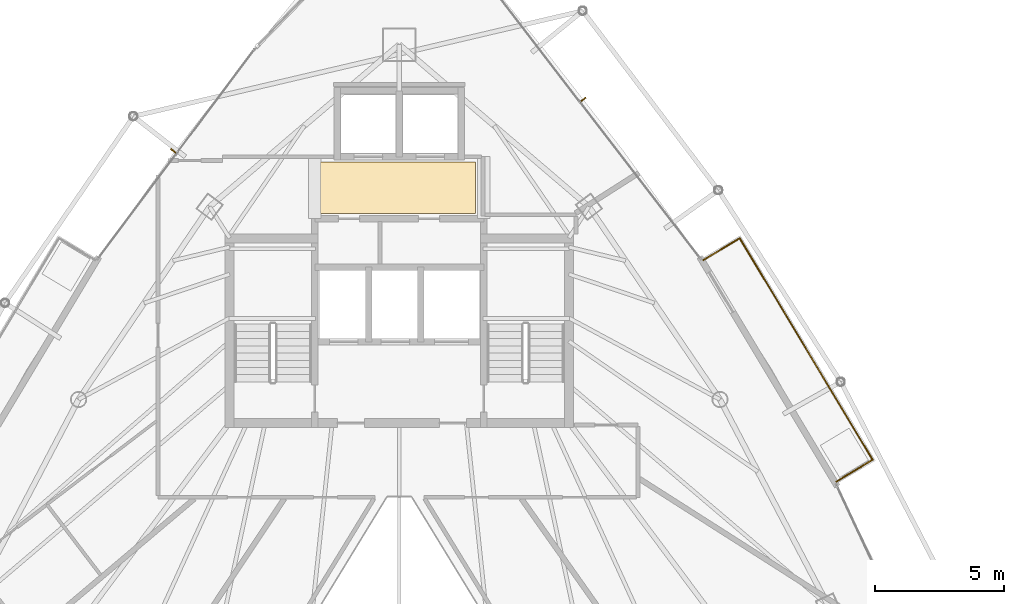
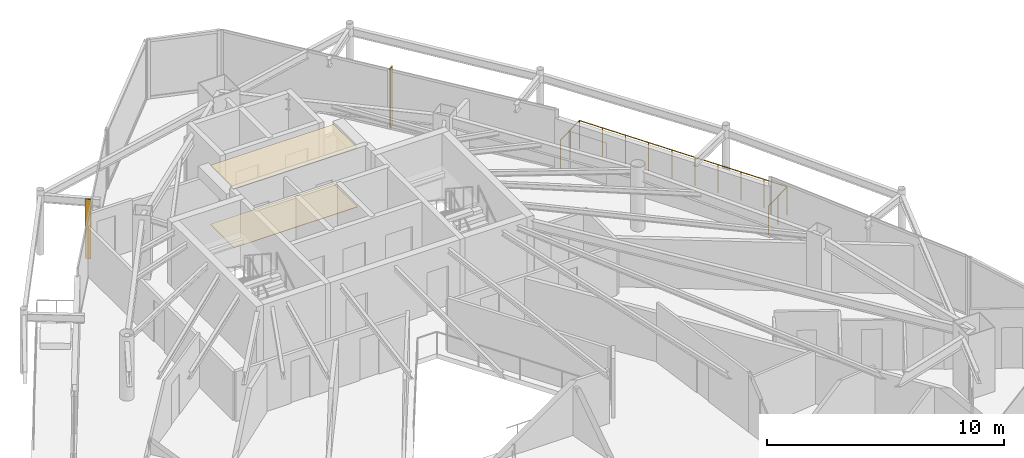
# One storey, part 33 of 33: 2 coverings, 2 shading devices, 1 railing.
"""IFC4 building model written with IfcOpenShell, lengths in metres."""

from ifc_helpers import new_model, si_unit, direction, frame, origin, origin_2d, place, context, subcontext, project, spatial, polyline, rectangle, circle, outline, extrude, material, layer, layer_set, type_object, element, save


model = new_model("IFC4")

# Units and contexts
model_context = context("Model", 3, precision=1e-05, world=origin(), true_north=direction((0.0, 1.0)))
body_context = subcontext(model_context, "Body", "Model", "MODEL_VIEW")
ifc_project = project(units=[si_unit("LENGTHUNIT", "METRE"), si_unit("AREAUNIT", "SQUARE_METRE"), si_unit("VOLUMEUNIT", "CUBIC_METRE"), si_unit("PLANEANGLEUNIT", "RADIAN"), si_unit("MASSUNIT", "GRAM", prefix="KILO")], contexts=[model_context])

# Site, building, storey
site_placement = place(None, origin())
site = spatial("IfcSite", under=ifc_project, at=site_placement, CompositionType="ELEMENT")
building_placement = place(site_placement, origin())
building = spatial("IfcBuilding", under=site, at=building_placement, Name="Orvanel Arch Residences", CompositionType="ELEMENT")
storey_placement = place(building_placement, frame((0.0, 0.0, 206.300048828125)))
storey = spatial("IfcBuildingStorey", under=building, at=storey_placement, Name="L58", CompositionType="ELEMENT", Elevation=206.300048828125)

# Coverings
ifc_material_1 = material(Name="Perforated acoustic mineral-fibre ceiling tile", Category="gypsum")
ifc_layer_1 = layer(ifc_material_1, 0.034912109375)
ifc_layer_set_1 = layer_set([ifc_layer_1], Name="Perforated acoustic mineral-fibre ceiling tile")
covering_type_1 = type_object("IfcCoveringType", Name="COV-CLG-ACS35", PredefinedType="CEILING", material=ifc_layer_set_1)
covering_1_placement = place(storey_placement, frame((0.0, 0.0, 3.02490234375)))
element("IfcCovering", 1, at=covering_1_placement, inside=storey, type_object=covering_type_1, Name="L58 Lift Lobby Acoustic Ceiling", PredefinedType="CEILING", context=body_context, shape_type="SweptSolid", body=[
    extrude(outline(polyline([(29.949951171875, 34.85009765625), (35.949951171875, 34.85009765625), (35.949951171875, 36.85009765625), (29.949951171875, 36.85009765625), (29.949951171875, 34.85009765625)])), origin(), (0.0, 0.0, 1.0), 0.03515625),
])
ifc_material_2 = material(Name="Honed cementitious terrazzo floor finish", Category="concrete")
ifc_layer_2 = layer(ifc_material_2, 0.02490234375)
ifc_layer_set_2 = layer_set([ifc_layer_2], Name="Honed cementitious terrazzo floor finish")
covering_type_2 = type_object("IfcCoveringType", Name="COV-FLR-TRZ25", PredefinedType="FLOORING", material=ifc_layer_set_2)
covering_2_placement = place(storey_placement, origin())
element("IfcCovering", 2, at=covering_2_placement, inside=storey, type_object=covering_type_2, Name="L58 Lift Lobby Terrazzo Flooring", PredefinedType="FLOORING", context=body_context, shape_type="SweptSolid", body=[
    extrude(outline(polyline([(29.949951171875, 34.85009765625), (35.949951171875, 34.85009765625), (35.949951171875, 36.85009765625), (29.949951171875, 36.85009765625), (29.949951171875, 34.85009765625)])), origin(), (0.0, 0.0, 1.0), 0.02490234375),
])

# Shading devices
ifc_material_3 = material(Name="Bronze-anodised aluminium AA6063-T6", Category="aluminium")
ifc_layer_3 = layer(ifc_material_3, 0.050048828125)
ifc_layer_set_3 = layer_set([ifc_layer_3], Name="Bronze-anodised aluminium AA6063-T6")
shading_device_type = type_object("IfcShadingDeviceType", Name="FIN-BRZ-260", PredefinedType="USERDEFINED", material=ifc_layer_set_3)
for number, where, z_axis, x_axis, name in (
    (3, (24.243896484375, 37.27294921875, 0.0), (0.0, 0.0, 1.0), (-0.800731370949, 0.599023598516, 0.0), "L58 Anodised Bronze Mullion FIN 01"),
    (4, (40.1298828125, 39.26611328125, 0.0), (0.0, 0.0, 1.0), (0.792289643355, 0.610145163901, 0.0), "L58 Anodised Bronze Mullion FIN 01"),
):
    element("IfcShadingDevice", number, at=place(storey_placement, frame(where, z_axis=z_axis, x_axis=x_axis)), inside=storey, type_object=shading_device_type, Name=name, ObjectType="FIN", PredefinedType="USERDEFINED", context=body_context, shape_type="SweptSolid", body=[
        extrude(rectangle(XDim=0.260009765625, YDim=0.050048828125, at=origin_2d()), origin(), (0.0, 0.0, 1.0), 3.06005859375),
    ])

# Railing
railing_type = type_object("IfcRailingType", Name="RL-BAL-1480", PredefinedType="BALUSTRADE", material=ifc_material_3)
railing_placement = place(storey_placement, frame((49.94189453125, 24.4580078125, 0.0)))
element("IfcRailing", 5, at=railing_placement, inside=storey, type_object=railing_type, Name="L58 Balcony Perimeter Guardrail Face 3", PredefinedType="BALUSTRADE", context=body_context, shape_type="SweptSolid", body=[
    extrude(circle(Radius=0.02392578125, at=origin_2d()), frame((0.001220703125, 0.000732421875, 1.4560546875), z_axis=(0.857584807373, 0.514342588322, 0.0), x_axis=(-0.514342588322, 0.857584807373, 0.0)), (0.0, 0.0, 1.0), 1.637939453125),
    extrude(circle(Radius=0.02392578125, at=origin_2d()), frame((1.406494140625, 0.84521484375, 1.4560546875), z_axis=(-0.514467079564, 0.857510130579, 0.0), x_axis=(-0.857510130579, -0.514467079564, 0.0)), (0.0, 0.0, 1.0), 10.013427734375),
    extrude(circle(Radius=0.02392578125, at=origin_2d()), frame((-3.7470703125, 9.432373046875, 1.4560546875), z_axis=(-0.857387817543, -0.514670895164, 0.0), x_axis=(0.514670895164, -0.857387817543, 0.0)), (0.0, 0.0, 1.0), 1.636962890625),
    extrude(circle(Radius=0.02099609375, at=origin_2d()), origin(), (0.0, 0.0, 1.0), 1.429931640625),
    extrude(circle(Radius=0.02099609375, at=origin_2d()), frame((0.70361328125, 0.421875, 0.0)), (0.0, 0.0, 1.0), 1.429931640625),
    extrude(circle(Radius=0.02099609375, at=origin_2d()), frame((1.4072265625, 0.843994140625, 0.0)), (0.0, 0.0, 1.0), 1.429931640625),
    extrude(circle(Radius=0.02099609375, at=origin_2d()), frame((0.834716796875, 1.79833984375, 0.0)), (0.0, 0.0, 1.0), 1.429931640625),
    extrude(circle(Radius=0.02099609375, at=origin_2d()), frame((0.26220703125, 2.752685546875, 0.0)), (0.0, 0.0, 1.0), 1.429931640625),
    extrude(circle(Radius=0.02099609375, at=origin_2d()), frame((-0.310546875, 3.70703125, 0.0)), (0.0, 0.0, 1.0), 1.429931640625),
    extrude(circle(Radius=0.02099609375, at=origin_2d()), frame((-0.883056640625, 4.661376953125, 0.0)), (0.0, 0.0, 1.0), 1.429931640625),
    extrude(circle(Radius=0.02099609375, at=origin_2d()), frame((-1.45556640625, 5.61572265625, 0.0)), (0.0, 0.0, 1.0), 1.429931640625),
    extrude(circle(Radius=0.02099609375, at=origin_2d()), frame((-2.028076171875, 6.570068359375, 0.0)), (0.0, 0.0, 1.0), 1.429931640625),
    extrude(circle(Radius=0.02099609375, at=origin_2d()), frame((-2.600830078125, 7.5244140625, 0.0)), (0.0, 0.0, 1.0), 1.429931640625),
    extrude(circle(Radius=0.02099609375, at=origin_2d()), frame((-3.17333984375, 8.478759765625, 0.0)), (0.0, 0.0, 1.0), 1.429931640625),
    extrude(circle(Radius=0.02099609375, at=origin_2d()), frame((-3.745849609375, 9.43310546875, 0.0)), (0.0, 0.0, 1.0), 1.429931640625),
    extrude(circle(Radius=0.02099609375, at=origin_2d()), frame((-4.44873046875, 9.01123046875, 0.0)), (0.0, 0.0, 1.0), 1.429931640625),
    extrude(circle(Radius=0.02099609375, at=origin_2d()), frame((-5.15185546875, 8.589111328125, 0.0)), (0.0, 0.0, 1.0), 1.429931640625),
])

save(model, "model.ifc")
